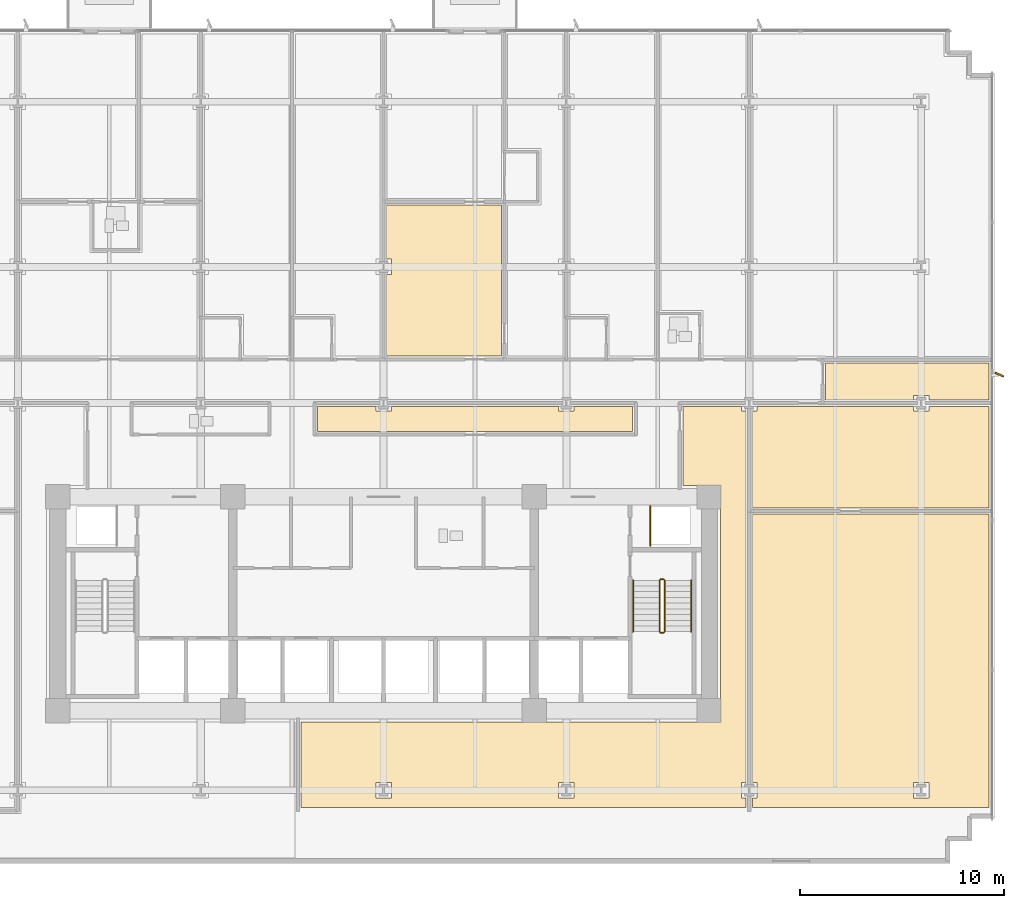
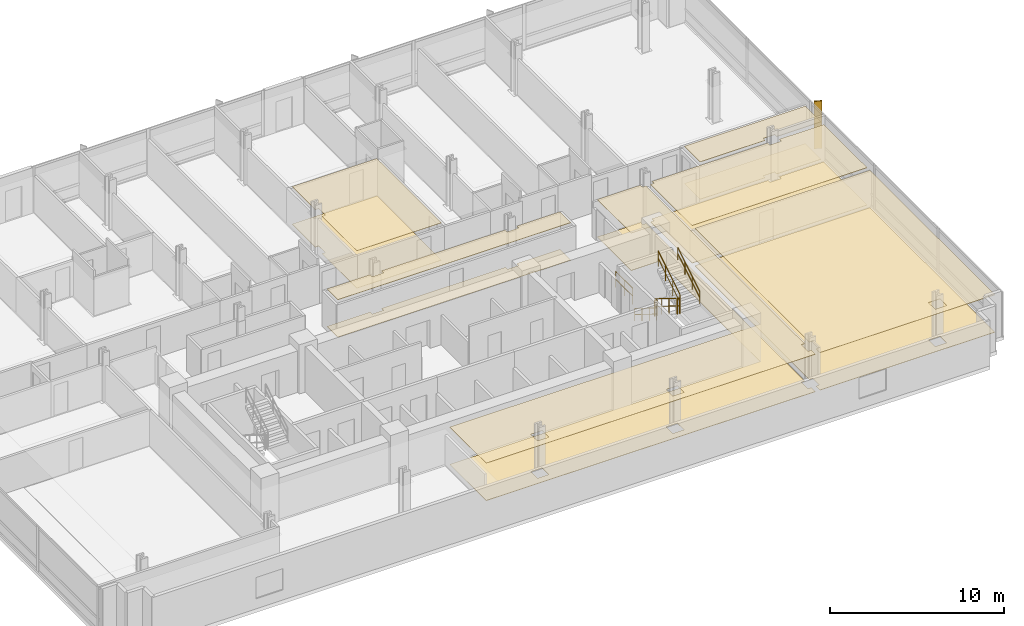
# One storey, part 13 of 15: 12 coverings, 7 railings, 1 shading device.
"""IFC4 building model written with IfcOpenShell, lengths in metres."""

from ifc_helpers import new_model, si_unit, direction, frame, origin, origin_2d, place, context, subcontext, project, spatial, polyline, rectangle, circle, outline, extrude, material, layer, layer_set, type_object, element, save


model = new_model("IFC4")

# Units and contexts
model_context = context("Model", 3, precision=1e-05, world=origin(), true_north=direction((0.0, 1.0)))
body_context = subcontext(model_context, "Body", "Model", "MODEL_VIEW")
ifc_project = project(units=[si_unit("LENGTHUNIT", "METRE"), si_unit("AREAUNIT", "SQUARE_METRE"), si_unit("VOLUMEUNIT", "CUBIC_METRE"), si_unit("PLANEANGLEUNIT", "RADIAN"), si_unit("MASSUNIT", "GRAM", prefix="KILO")], contexts=[model_context])

# Site, building, storey
site_placement = place(None, origin())
site = spatial("IfcSite", under=ifc_project, at=site_placement, CompositionType="ELEMENT")
building_placement = place(site_placement, origin())
building = spatial("IfcBuilding", under=site, at=building_placement, Name="Solmavex Isthmus Hotel", CompositionType="ELEMENT")
storey_placement = place(building_placement, frame((0.0, 0.0, 64.35009765625)))
storey = spatial("IfcBuildingStorey", under=building, at=storey_placement, Name="L17", CompositionType="ELEMENT", Elevation=64.35009765625)

# Coverings
ifc_material_1 = material(Name="Gypsum plasterboard lining", Category="gypsum")
ifc_layer_1 = layer(ifc_material_1, 0.030029296875)
ifc_layer_set_1 = layer_set([ifc_layer_1], Name="Gypsum plasterboard lining")
covering_type_1 = type_object("IfcCoveringType", Name="COV-CEIL-GYP", PredefinedType="CEILING", material=ifc_layer_set_1)
covering_1_placement = place(storey_placement, frame((0.0, 0.0, 2.619873046875)))
element("IfcCovering", 1, at=covering_1_placement, inside=storey, type_object=covering_type_1, Name="Suspended Acoustic Ceiling L17-SL05-FY", PredefinedType="CEILING", context=body_context, shape_type="SweptSolid", body=[
    extrude(outline(polyline([(0.155029296875, 9.16796875), (0.3798828125, 9.16796875), (0.3798828125, 8.407958984375), (0.155029296875, 8.407958984375), (0.155029296875, 4.405029296875), (5.782958984375, 4.405029296875), (5.782958984375, 11.8330078125), (0.155029296875, 11.8330078125), (0.155029296875, 9.16796875)])), origin(), (0.0, 0.0, 1.0), 0.030029296875),
])
covering_2_placement = place(storey_placement, frame((0.0, 0.0, 2.619873046875)))
element("IfcCovering", 2, at=covering_2_placement, inside=storey, type_object=covering_type_1, Name="Suspended Acoustic Ceiling L17-FL11", PredefinedType="CEILING", context=body_context, shape_type="SweptSolid", body=[
    extrude(outline(polyline([(26.02001953125, 2.2548828125), (26.02001953125, 2.47998046875), (26.780029296875, 2.47998046875), (26.780029296875, 2.2548828125), (29.72509765625, 2.2548828125), (29.72509765625, 4.074951171875), (21.70703125, 4.074951171875), (21.70703125, 2.2548828125), (26.02001953125, 2.2548828125)])), origin(), (0.0, 0.0, 1.0), 0.030029296875),
])
covering_3_placement = place(storey_placement, frame((0.0, 0.0, 2.619873046875)))
element("IfcCovering", 3, at=covering_3_placement, inside=storey, type_object=covering_type_1, Name="Suspended Acoustic Ceiling L17-FL12", PredefinedType="CEILING", context=body_context, shape_type="SweptSolid", body=[
    extrude(outline(polyline([(0.3798828125, 1.945068359375), (0.3798828125, 1.719970703125), (-0.3798828125, 1.719970703125), (-0.3798828125, 1.945068359375), (-3.23291015625, 1.945068359375), (-3.23291015625, 0.705078125), (12.22900390625, 0.705078125), (12.22900390625, 1.945068359375), (9.35595703125, 1.945068359375), (9.35595703125, 1.719970703125), (8.595947265625, 1.719970703125), (8.595947265625, 1.945068359375), (0.3798828125, 1.945068359375)])), origin(), (0.0, 0.0, 1.0), 0.030029296875),
])
covering_4_placement = place(storey_placement, frame((0.0, 0.0, 2.619873046875)))
element("IfcCovering", 4, at=covering_4_placement, inside=storey, type_object=covering_type_1, Name="Suspended Acoustic Ceiling L17-FL14", PredefinedType="CEILING", context=body_context, shape_type="SweptSolid", body=[
    extrude(outline(polyline([(26.780029296875, 1.945068359375), (26.780029296875, 1.719970703125), (26.02001953125, 1.719970703125), (26.02001953125, 1.945068359375), (18.33203125, 1.945068359375), (18.33203125, 1.719970703125), (18.10693359375, 1.719970703125), (18.10693359375, -3.044921875), (29.72509765625, -3.044921875), (29.72509765625, 1.945068359375), (26.780029296875, 1.945068359375)])), origin(), (0.0, 0.0, 1.0), 0.030029296875),
])
covering_5_placement = place(storey_placement, frame((0.0, 0.0, 2.619873046875)))
element("IfcCovering", 5, at=covering_5_placement, inside=storey, type_object=covering_type_1, Name="Suspended Acoustic Ceiling L17-FL15", PredefinedType="CEILING", context=body_context, shape_type="SweptSolid", body=[
    extrude(outline(polyline([(17.797119140625, 1.719970703125), (17.572021484375, 1.719970703125), (17.572021484375, 1.945068359375), (14.698974609375, 1.945068359375), (14.698974609375, -1.945068359375), (16.554931640625, -1.945068359375), (16.554931640625, -13.554931640625), (-4.044921875, -13.554931640625), (-4.044921875, -17.7451171875), (17.797119140625, -17.7451171875), (17.797119140625, -17.280029296875), (17.572021484375, -17.280029296875), (17.572021484375, -16.52001953125), (17.797119140625, -16.52001953125), (17.797119140625, 1.719970703125)]), holes=[polyline([(8.595947265625, -17.280029296875), (8.595947265625, -16.52001953125), (9.35595703125, -16.52001953125), (9.35595703125, -17.280029296875), (8.595947265625, -17.280029296875)]), polyline([(-0.3798828125, -17.280029296875), (-0.3798828125, -16.52001953125), (0.3798828125, -16.52001953125), (0.3798828125, -17.280029296875), (-0.3798828125, -17.280029296875)])]), origin(), (0.0, 0.0, 1.0), 0.030029296875),
])
covering_6_placement = place(storey_placement, frame((0.0, 0.0, 2.619873046875)))
element("IfcCovering", 6, at=covering_6_placement, inside=storey, type_object=covering_type_1, Name="Suspended Acoustic Ceiling L17-FL18", PredefinedType="CEILING", context=body_context, shape_type="SweptSolid", body=[
    extrude(outline(polyline([(18.10693359375, -16.52001953125), (18.33203125, -16.52001953125), (18.33203125, -17.280029296875), (18.10693359375, -17.280029296875), (18.10693359375, -17.7451171875), (29.72509765625, -17.7451171875), (29.72509765625, -3.35498046875), (18.10693359375, -3.35498046875), (18.10693359375, -16.52001953125)]), holes=[polyline([(26.02001953125, -17.280029296875), (26.02001953125, -16.52001953125), (26.780029296875, -16.52001953125), (26.780029296875, -17.280029296875), (26.02001953125, -17.280029296875)])]), origin(), (0.0, 0.0, 1.0), 0.030029296875),
])
ifc_material_2 = material(Name="Travertine natural stone", Category="masonry")
ifc_layer_2 = layer(ifc_material_2, 0.02490234375)
ifc_layer_set_2 = layer_set([ifc_layer_2], Name="Travertine natural stone")
covering_type_2 = type_object("IfcCoveringType", Name="COV-FLOR-STN", PredefinedType="FLOORING", material=ifc_layer_set_2)
covering_7_placement = place(storey_placement, origin())
element("IfcCovering", 7, at=covering_7_placement, inside=storey, type_object=covering_type_2, Name="Stone and Timber Floor Finish L17-SL05-FY", PredefinedType="FLOORING", context=body_context, shape_type="SweptSolid", body=[
    extrude(outline(polyline([(0.155029296875, 9.16796875), (0.3798828125, 9.16796875), (0.3798828125, 8.407958984375), (0.155029296875, 8.407958984375), (0.155029296875, 4.405029296875), (5.782958984375, 4.405029296875), (5.782958984375, 11.8330078125), (0.155029296875, 11.8330078125), (0.155029296875, 9.16796875)])), origin(), (0.0, 0.0, 1.0), 0.02490234375),
])
covering_8_placement = place(storey_placement, origin())
element("IfcCovering", 8, at=covering_8_placement, inside=storey, type_object=covering_type_2, Name="Stone and Timber Floor Finish L17-FL11", PredefinedType="FLOORING", context=body_context, shape_type="SweptSolid", body=[
    extrude(outline(polyline([(26.02001953125, 2.2548828125), (26.02001953125, 2.47998046875), (26.780029296875, 2.47998046875), (26.780029296875, 2.2548828125), (29.72509765625, 2.2548828125), (29.72509765625, 4.074951171875), (21.70703125, 4.074951171875), (21.70703125, 2.2548828125), (26.02001953125, 2.2548828125)])), origin(), (0.0, 0.0, 1.0), 0.02490234375),
])
covering_9_placement = place(storey_placement, origin())
element("IfcCovering", 9, at=covering_9_placement, inside=storey, type_object=covering_type_2, Name="Stone and Timber Floor Finish L17-FL12", PredefinedType="FLOORING", context=body_context, shape_type="SweptSolid", body=[
    extrude(outline(polyline([(0.3798828125, 1.945068359375), (0.3798828125, 1.719970703125), (-0.3798828125, 1.719970703125), (-0.3798828125, 1.945068359375), (-3.23291015625, 1.945068359375), (-3.23291015625, 0.705078125), (12.22900390625, 0.705078125), (12.22900390625, 1.945068359375), (9.35595703125, 1.945068359375), (9.35595703125, 1.719970703125), (8.595947265625, 1.719970703125), (8.595947265625, 1.945068359375), (0.3798828125, 1.945068359375)])), origin(), (0.0, 0.0, 1.0), 0.02490234375),
])
covering_10_placement = place(storey_placement, origin())
element("IfcCovering", 10, at=covering_10_placement, inside=storey, type_object=covering_type_2, Name="Stone and Timber Floor Finish L17-FL14", PredefinedType="FLOORING", context=body_context, shape_type="SweptSolid", body=[
    extrude(outline(polyline([(26.780029296875, 1.945068359375), (26.780029296875, 1.719970703125), (26.02001953125, 1.719970703125), (26.02001953125, 1.945068359375), (18.33203125, 1.945068359375), (18.33203125, 1.719970703125), (18.10693359375, 1.719970703125), (18.10693359375, -3.044921875), (29.72509765625, -3.044921875), (29.72509765625, 1.945068359375), (26.780029296875, 1.945068359375)])), origin(), (0.0, 0.0, 1.0), 0.02490234375),
])
covering_11_placement = place(storey_placement, origin())
element("IfcCovering", 11, at=covering_11_placement, inside=storey, type_object=covering_type_2, Name="Stone and Timber Floor Finish L17-FL15", PredefinedType="FLOORING", context=body_context, shape_type="SweptSolid", body=[
    extrude(outline(polyline([(17.797119140625, 1.719970703125), (17.572021484375, 1.719970703125), (17.572021484375, 1.945068359375), (14.698974609375, 1.945068359375), (14.698974609375, -1.945068359375), (16.554931640625, -1.945068359375), (16.554931640625, -13.554931640625), (-4.044921875, -13.554931640625), (-4.044921875, -17.7451171875), (17.797119140625, -17.7451171875), (17.797119140625, -17.280029296875), (17.572021484375, -17.280029296875), (17.572021484375, -16.52001953125), (17.797119140625, -16.52001953125), (17.797119140625, 1.719970703125)]), holes=[polyline([(8.595947265625, -17.280029296875), (8.595947265625, -16.52001953125), (9.35595703125, -16.52001953125), (9.35595703125, -17.280029296875), (8.595947265625, -17.280029296875)]), polyline([(-0.3798828125, -17.280029296875), (-0.3798828125, -16.52001953125), (0.3798828125, -16.52001953125), (0.3798828125, -17.280029296875), (-0.3798828125, -17.280029296875)])]), origin(), (0.0, 0.0, 1.0), 0.02490234375),
])
covering_12_placement = place(storey_placement, origin())
element("IfcCovering", 12, at=covering_12_placement, inside=storey, type_object=covering_type_2, Name="Stone and Timber Floor Finish L17-FL18", PredefinedType="FLOORING", context=body_context, shape_type="SweptSolid", body=[
    extrude(outline(polyline([(18.10693359375, -16.52001953125), (18.33203125, -16.52001953125), (18.33203125, -17.280029296875), (18.10693359375, -17.280029296875), (18.10693359375, -17.7451171875), (29.72509765625, -17.7451171875), (29.72509765625, -3.35498046875), (18.10693359375, -3.35498046875), (18.10693359375, -16.52001953125)]), holes=[polyline([(26.02001953125, -17.280029296875), (26.02001953125, -16.52001953125), (26.780029296875, -16.52001953125), (26.780029296875, -17.280029296875), (26.02001953125, -17.280029296875)])]), origin(), (0.0, 0.0, 1.0), 0.02490234375),
])

# Railings
ifc_material_3 = material(Name="Clear low-E laminated glass", Category="glass")
ifc_layer_3 = layer(ifc_material_3, 0.080078125)
ifc_layer_set_3 = layer_set([ifc_layer_3], Name="Clear low-E laminated glass")
railing_type_1 = type_object("IfcRailingType", Name="RAIL-ATRIUM-1120", PredefinedType="BALUSTRADE", material=ifc_layer_set_3)
railing_1_placement = place(storey_placement, frame((13.10009765625, -4.89990234375, 0.0)))
element("IfcRailing", 13, at=railing_1_placement, inside=storey, type_object=railing_type_1, Name="Guardrail Balustrade L17-RSE-01", PredefinedType="BALUSTRADE", context=body_context, shape_type="SweptSolid", body=[
    extrude(circle(Radius=0.02392578125, at=origin_2d()), frame((0.0, 0.0, 1.1259765625), z_axis=(0.0, 1.0, 0.0), x_axis=(-1.0, 0.0, 0.0)), (0.0, 0.0, 1.0), 1.949951171875),
    extrude(circle(Radius=0.02392578125, at=origin_2d()), frame((0.0, 0.0, 0.574951171875), z_axis=(0.0, 1.0, 0.0), x_axis=(-1.0, 0.0, 0.0)), (0.0, 0.0, 1.0), 1.949951171875),
    extrude(circle(Radius=0.02099609375, at=origin_2d()), origin(), (0.0, 0.0, 1.0), 1.101806640625),
    extrude(circle(Radius=0.02099609375, at=origin_2d()), frame((0.0, 0.97509765625, 0.0)), (0.0, 0.0, 1.0), 1.101806640625),
    extrude(circle(Radius=0.02099609375, at=origin_2d()), frame((0.0, 1.949951171875, 0.0)), (0.0, 0.0, 1.0), 1.101806640625),
])
ifc_material_4 = material(Name="Stainless steel 316", Category="steel")
ifc_layer_4 = layer(ifc_material_4, 0.06005859375)
ifc_layer_set_4 = layer_set([ifc_layer_4], Name="Stainless steel 316")
railing_type_2 = type_object("IfcRailingType", Name="RAIL-STAIR-GD", PredefinedType="GUARDRAIL", material=ifc_layer_set_4)
railing_2_placement = place(storey_placement, frame((13.550048828125, -6.60009765625, 0.17236328125)))
element("IfcRailing", 14, at=railing_2_placement, inside=storey, type_object=railing_type_2, Name="L17 ST-2 stair guard 1", PredefinedType="GUARDRAIL", context=body_context, shape_type="SweptSolid", body=[
    extrude(circle(Radius=0.02392578125, at=origin_2d()), frame((0.0, 0.0, 1.09619140625), z_axis=(0.0, -0.851400495292, 0.524516154772), x_axis=(1.0, 0.0, 0.0)), (0.0, 0.0, 1.0), 2.9599609375),
    extrude(circle(Radius=0.02392578125, at=origin_2d()), frame((0.0, 0.0, 0.56005859375), z_axis=(0.0, -0.851400495292, 0.524516154772), x_axis=(1.0, 0.0, 0.0)), (0.0, 0.0, 1.0), 2.9599609375),
    extrude(circle(Radius=0.02099609375, at=origin_2d()), origin(), (0.0, 0.0, 1.0), 1.072021484375),
    extrude(circle(Radius=0.02099609375, at=origin_2d()), frame((0.0, -0.840087890625, 0.517578125)), (0.0, 0.0, 1.0), 1.072021484375),
    extrude(circle(Radius=0.02099609375, at=origin_2d()), frame((0.0, -1.679931640625, 1.034912109375)), (0.0, 0.0, 1.0), 1.072021484375),
    extrude(circle(Radius=0.02099609375, at=origin_2d()), frame((0.0, -2.52001953125, 1.552490234375)), (0.0, 0.0, 1.0), 1.072021484375),
])
railing_3_placement = place(storey_placement, frame((13.60009765625, -9.169921875, 1.724853515625)))
element("IfcRailing", 15, at=railing_3_placement, inside=storey, type_object=railing_type_2, Name="L17 ST-2 stair guard 2", PredefinedType="GUARDRAIL", context=body_context, shape_type="SweptSolid", body=[
    extrude(circle(Radius=0.02392578125, at=origin_2d()), frame((0.0, 0.0, 1.09619140625), z_axis=(1.0, 0.0, 0.0), x_axis=(0.0, 1.0, 0.0)), (0.0, 0.0, 1.0), 0.14990234375),
    extrude(circle(Radius=0.02392578125, at=origin_2d()), frame((0.0, 0.0, 0.56005859375), z_axis=(1.0, 0.0, 0.0), x_axis=(0.0, 1.0, 0.0)), (0.0, 0.0, 1.0), 0.14990234375),
    extrude(circle(Radius=0.02099609375, at=origin_2d()), origin(), (0.0, 0.0, 1.0), 1.072021484375),
    extrude(circle(Radius=0.02099609375, at=origin_2d()), frame((0.14990234375, 0.0, 0.0)), (0.0, 0.0, 1.0), 1.072021484375),
])
railing_4_placement = place(storey_placement, frame((13.800048828125, -9.1201171875, 1.8974609375)))
element("IfcRailing", 16, at=railing_4_placement, inside=storey, type_object=railing_type_2, Name="L17 ST-2 stair guard 3", PredefinedType="GUARDRAIL", context=body_context, shape_type="SweptSolid", body=[
    extrude(circle(Radius=0.02392578125, at=origin_2d()), frame((0.0, 0.0, 1.09619140625), z_axis=(0.0, 0.851400495292, 0.524516154772), x_axis=(-1.0, 0.0, 0.0)), (0.0, 0.0, 1.0), 2.9599609375),
    extrude(circle(Radius=0.02392578125, at=origin_2d()), frame((0.0, 0.0, 0.56005859375), z_axis=(0.0, 0.851400495292, 0.524516154772), x_axis=(-1.0, 0.0, 0.0)), (0.0, 0.0, 1.0), 2.9599609375),
    extrude(circle(Radius=0.02099609375, at=origin_2d()), origin(), (0.0, 0.0, 1.0), 1.072021484375),
    extrude(circle(Radius=0.02099609375, at=origin_2d()), frame((0.0, 0.840087890625, 0.517578125)), (0.0, 0.0, 1.0), 1.072021484375),
    extrude(circle(Radius=0.02099609375, at=origin_2d()), frame((0.0, 1.679931640625, 1.034912109375)), (0.0, 0.0, 1.0), 1.072021484375),
    extrude(circle(Radius=0.02099609375, at=origin_2d()), frame((0.0, 2.52001953125, 1.552490234375)), (0.0, 0.0, 1.0), 1.072021484375),
])
railing_5_placement = place(storey_placement, frame((13.60009765625, -6.550048828125, 0.0)))
element("IfcRailing", 17, at=railing_5_placement, inside=storey, type_object=railing_type_2, Name="L17 ST-2 stair guard 4", PredefinedType="GUARDRAIL", context=body_context, shape_type="SweptSolid", body=[
    extrude(circle(Radius=0.02392578125, at=origin_2d()), frame((0.0, 0.0, 1.09619140625), z_axis=(1.0, 0.0, 0.0), x_axis=(0.0, 1.0, 0.0)), (0.0, 0.0, 1.0), 0.14990234375),
    extrude(circle(Radius=0.02392578125, at=origin_2d()), frame((0.0, 0.0, 0.56005859375), z_axis=(1.0, 0.0, 0.0), x_axis=(0.0, 1.0, 0.0)), (0.0, 0.0, 1.0), 0.14990234375),
    extrude(circle(Radius=0.02099609375, at=origin_2d()), origin(), (0.0, 0.0, 1.0), 1.072021484375),
    extrude(circle(Radius=0.02099609375, at=origin_2d()), frame((0.14990234375, 0.0, 0.0)), (0.0, 0.0, 1.0), 1.072021484375),
])
ifc_layer_5 = layer(ifc_material_4, 0.050048828125)
ifc_layer_set_5 = layer_set([ifc_layer_5], Name="Stainless steel 316")
railing_type_3 = type_object("IfcRailingType", Name="RAIL-STAIR-HR", PredefinedType="HANDRAIL", material=ifc_layer_set_5)
railing_6_placement = place(storey_placement, frame((12.25, -6.60009765625, 0.17236328125)))
element("IfcRailing", 18, at=railing_6_placement, inside=storey, type_object=railing_type_3, Name="L17 ST-2 stair handrail 1", PredefinedType="HANDRAIL", context=body_context, shape_type="SweptSolid", body=[
    extrude(circle(Radius=0.02392578125, at=origin_2d()), frame((0.0, 0.0, 0.8759765625), z_axis=(0.0, -0.851400495292, 0.524516154772), x_axis=(1.0, 0.0, 0.0)), (0.0, 0.0, 1.0), 2.9599609375),
    extrude(circle(Radius=0.02392578125, at=origin_2d()), frame((0.0, 0.0, 0.449951171875), z_axis=(0.0, -0.851400495292, 0.524516154772), x_axis=(1.0, 0.0, 0.0)), (0.0, 0.0, 1.0), 2.9599609375),
    extrude(circle(Radius=0.02099609375, at=origin_2d()), origin(), (0.0, 0.0, 1.0), 0.851806640625),
    extrude(circle(Radius=0.02099609375, at=origin_2d()), frame((0.0, -0.840087890625, 0.517578125)), (0.0, 0.0, 1.0), 0.851806640625),
    extrude(circle(Radius=0.02099609375, at=origin_2d()), frame((0.0, -1.679931640625, 1.034912109375)), (0.0, 0.0, 1.0), 0.851806640625),
    extrude(circle(Radius=0.02099609375, at=origin_2d()), frame((0.0, -2.52001953125, 1.552490234375)), (0.0, 0.0, 1.0), 0.851806640625),
])
railing_7_placement = place(storey_placement, frame((15.10009765625, -9.1201171875, 1.8974609375)))
element("IfcRailing", 19, at=railing_7_placement, inside=storey, type_object=railing_type_3, Name="L17 ST-2 stair handrail 2", PredefinedType="HANDRAIL", context=body_context, shape_type="SweptSolid", body=[
    extrude(circle(Radius=0.02392578125, at=origin_2d()), frame((0.0, 0.0, 0.8759765625), z_axis=(0.0, 0.851400495292, 0.524516154772), x_axis=(-1.0, 0.0, 0.0)), (0.0, 0.0, 1.0), 2.9599609375),
    extrude(circle(Radius=0.02392578125, at=origin_2d()), frame((0.0, 0.0, 0.449951171875), z_axis=(0.0, 0.851400495292, 0.524516154772), x_axis=(-1.0, 0.0, 0.0)), (0.0, 0.0, 1.0), 2.9599609375),
    extrude(circle(Radius=0.02099609375, at=origin_2d()), origin(), (0.0, 0.0, 1.0), 0.851806640625),
    extrude(circle(Radius=0.02099609375, at=origin_2d()), frame((0.0, 0.840087890625, 0.517578125)), (0.0, 0.0, 1.0), 0.851806640625),
    extrude(circle(Radius=0.02099609375, at=origin_2d()), frame((0.0, 1.679931640625, 1.034912109375)), (0.0, 0.0, 1.0), 0.851806640625),
    extrude(circle(Radius=0.02099609375, at=origin_2d()), frame((0.0, 2.52001953125, 1.552490234375)), (0.0, 0.0, 1.0), 0.851806640625),
])

# Shading device
ifc_material_5 = material(Name="Aluminium alloy 6063-T6", Category="aluminium")
shading_device_type = type_object("IfcShadingDeviceType", Name="SHD-FIN-BRONZE", PredefinedType="USERDEFINED", material=ifc_material_5)
shading_device_placement = place(storey_placement, frame((30.239990234375, 3.5, -0.14013671875), z_axis=(0.0, 0.0, 1.0), x_axis=(0.913545457643, -0.406736643076, 0.0)))
element("IfcShadingDevice", 20, at=shading_device_placement, inside=storey, type_object=shading_device_type, Name="Anodised Aluminium Solar Fin L17-E1", ObjectType="SOLAR_FIN", PredefinedType="USERDEFINED", context=body_context, shape_type="SweptSolid", body=[
    extrude(rectangle(XDim=0.449951171875, YDim=0.080078125, at=origin_2d()), origin(), (0.0, 0.0, 1.0), 3.330078125),
])

save(model, "model.ifc")
